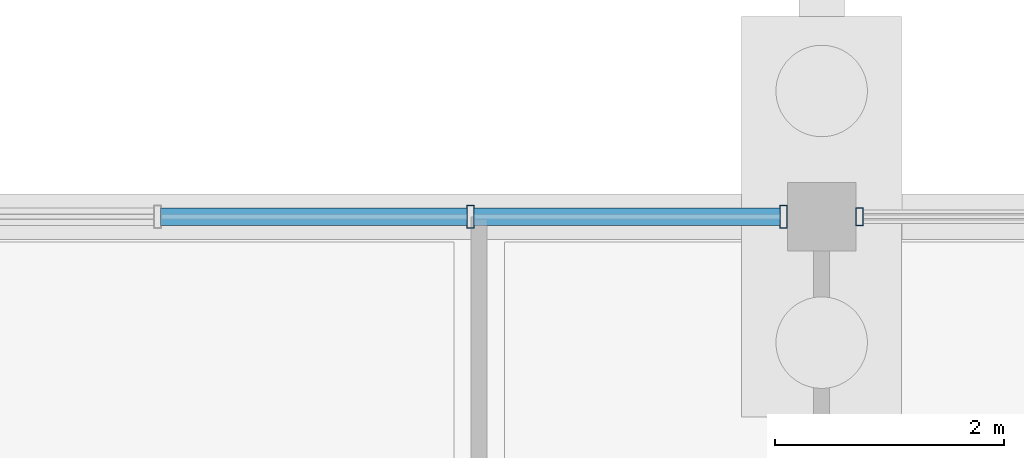
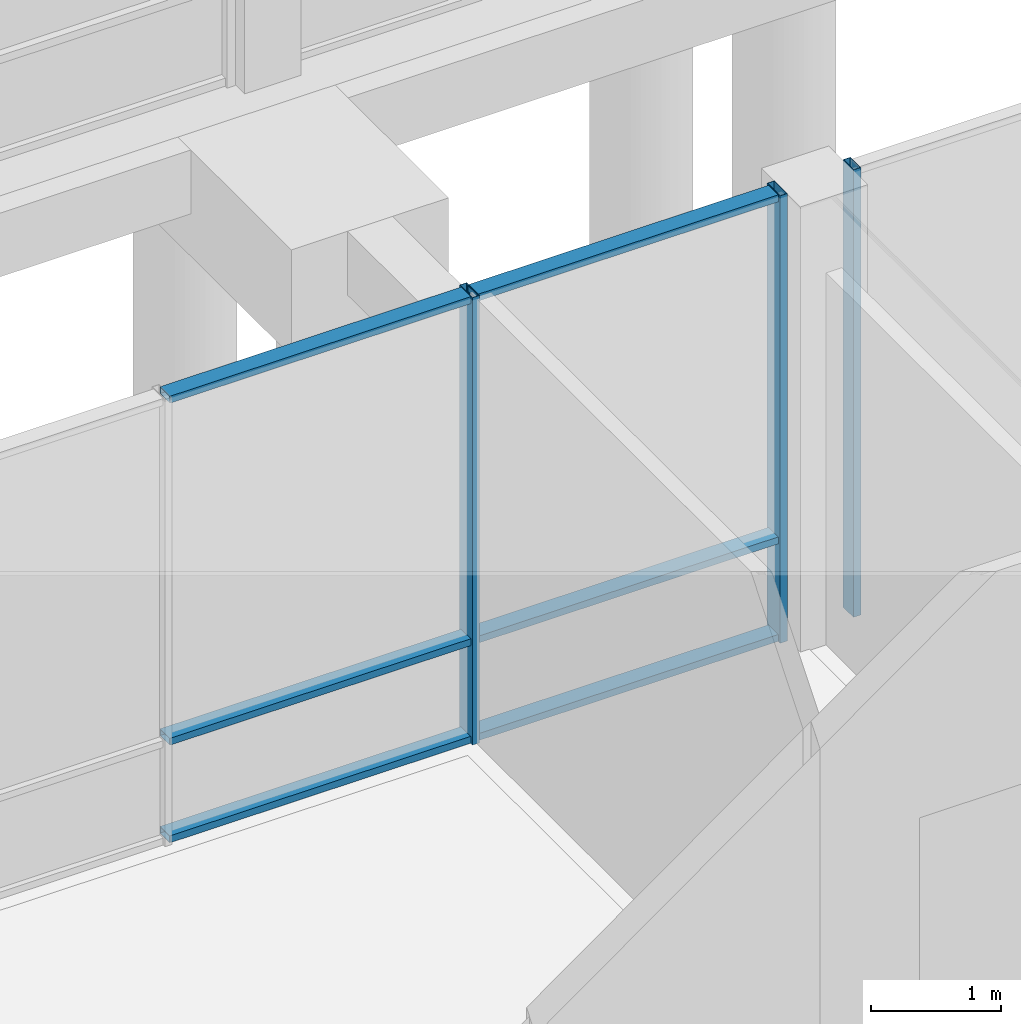
# One storey, part 48 of 104: 9 members, 2 elements without a shape of their own.
"""IFC4 building model written with IfcOpenShell, lengths in metres."""

from ifc_helpers import new_model, si_unit, direction, frame, origin, origin_2d, place, context, subcontext, project, spatial, hollow_rectangle, extrude, material, material_profile, profile_set, type_object, element, aggregate, save


model = new_model("IFC4")

# Units and contexts
model_context = context("Model", 3, precision=1e-05, world=origin(), true_north=direction((0.0, 1.0)))
body_context = subcontext(model_context, "Body", "Model", "MODEL_VIEW")
ifc_project = project(units=[si_unit("LENGTHUNIT", "METRE"), si_unit("AREAUNIT", "SQUARE_METRE"), si_unit("VOLUMEUNIT", "CUBIC_METRE"), si_unit("PLANEANGLEUNIT", "RADIAN"), si_unit("MASSUNIT", "GRAM", prefix="KILO")], contexts=[model_context])

# Site, building, storey
site_placement = place(None, origin())
site = spatial("IfcSite", under=ifc_project, at=site_placement, CompositionType="ELEMENT")
building_placement = place(site_placement, origin())
building = spatial("IfcBuilding", under=site, at=building_placement, Name="Hawrajan Terrace Health Centre", CompositionType="ELEMENT")
storey_placement = place(building_placement, origin())
storey = spatial("IfcBuildingStorey", under=building, at=storey_placement, Name="L00", CompositionType="ELEMENT", Elevation=0.0)

# Curtain wall, member
ifc_material_1 = material(Name="Anodized bronze aluminium and low-E solar glazing", Category="aluminium")
curtain_wall_type_1 = type_object("IfcCurtainWallType", Name="CW_Garden_SeriesF2", PredefinedType="USERDEFINED", material=ifc_material_1)
curtain_wall_1_placement = place(storey_placement, origin())
curtain_wall_1 = element("IfcCurtainWall", 1, at=curtain_wall_1_placement, inside=storey, type_object=curtain_wall_type_1, Name="Curtain wall CW-L00-039", ObjectType="UNITISED CURTAIN WALL", PredefinedType="USERDEFINED")
ifc_material_2 = material(Name="Anodized bronze aluminium 6063-T6", Category="aluminium")
ifc_material_profile_1 = material_profile(ifc_material_2, hollow_rectangle(XDim=0.06494140625, YDim=0.159912109375, WallThickness=0.00390625, at=origin_2d()), Name="CW MUL 65x160")
ifc_profile_set_1 = profile_set([ifc_material_profile_1], Name="Anodized bronze aluminium 6063-T6")
member_type_1 = type_object("IfcMemberType", Name="CWMullion_65x160", PredefinedType="MULLION", material=ifc_profile_set_1)
member_1_placement = place(storey_placement, frame((81.732421875, 18.60009765625, -0.0048828125), z_axis=(0.0, 0.0, 1.0), x_axis=(1.0, 0.0, 0.0)))
member_1 = element("IfcMember", 2, at=member_1_placement, type_object=member_type_1, Name="Mullion CW-L00-039-M1", PredefinedType="MULLION", context=body_context, shape_type="SweptSolid", body=[
    extrude(hollow_rectangle(XDim=0.06494140625, YDim=0.159912109375, WallThickness=0.00390625, at=origin_2d()), origin(), (0.0, 0.0, 1.0), 4.2099609375),
])
aggregate(curtain_wall_1, [member_1])

# Curtain wall, members
curtain_wall_type_2 = type_object("IfcCurtainWallType", Name="CW_Hall_SeriesD1", PredefinedType="USERDEFINED", material=ifc_material_1)
curtain_wall_2_placement = place(storey_placement, origin())
curtain_wall_2 = element("IfcCurtainWall", 3, at=curtain_wall_2_placement, inside=storey, type_object=curtain_wall_type_2, Name="Curtain wall CW-L00-034", ObjectType="UNITISED CURTAIN WALL", PredefinedType="USERDEFINED")
ifc_material_profile_2 = material_profile(ifc_material_2, hollow_rectangle(XDim=0.06494140625, YDim=0.199951171875, WallThickness=0.00439453125, at=origin_2d()), Name="CW MUL 65x200")
ifc_profile_set_2 = profile_set([ifc_material_profile_2], Name="Anodized bronze aluminium 6063-T6")
member_type_2 = type_object("IfcMemberType", Name="CWMullion_65x200", PredefinedType="MULLION", material=ifc_profile_set_2)
member_2_placement = place(storey_placement, frame((78.330810546875, 18.60009765625, -0.0048828125), z_axis=(0.0, 0.0, 1.0), x_axis=(1.0, 0.0, 0.0)))
member_2 = element("IfcMember", 4, at=member_2_placement, type_object=member_type_2, Name="Mullion CW-L00-034-M3", PredefinedType="MULLION", context=body_context, shape_type="SweptSolid", body=[
    extrude(hollow_rectangle(XDim=0.06494140625, YDim=0.199951171875, WallThickness=0.00439453125, at=origin_2d()), origin(), (0.0, 0.0, 1.0), 4.2099609375),
])
member_3_placement = place(storey_placement, frame((81.0673828125, 18.60009765625, -0.0048828125), z_axis=(0.0, 0.0, 1.0), x_axis=(1.0, 0.0, 0.0)))
member_3 = element("IfcMember", 5, at=member_3_placement, type_object=member_type_2, Name="Mullion CW-L00-034-M4", PredefinedType="MULLION", context=body_context, shape_type="SweptSolid", body=[
    extrude(hollow_rectangle(XDim=0.06494140625, YDim=0.199951171875, WallThickness=0.00439453125, at=origin_2d()), origin(), (0.0, 0.0, 1.0), 4.2099609375),
])
ifc_material_profile_3 = material_profile(ifc_material_2, hollow_rectangle(XDim=0.06494140625, YDim=0.14990234375, WallThickness=0.00390625, at=origin_2d()), Name="CW TRN 65x150")
ifc_profile_set_3 = profile_set([ifc_material_profile_3], Name="Anodized bronze aluminium 6063-T6")
member_type_3 = type_object("IfcMemberType", Name="CWTransom_65x150", PredefinedType="USERDEFINED", material=ifc_profile_set_3)
member_4_placement = place(storey_placement, frame((75.62060546875, 18.60009765625, 0.032470703125), z_axis=(1.0, 0.0, 0.0), x_axis=(0.0, 0.0, 1.0)))
member_4 = element("IfcMember", 6, at=member_4_placement, type_object=member_type_3, Name="Transom CW-L00-034-T2-1", ObjectType="TRANSOM", PredefinedType="USERDEFINED", context=body_context, shape_type="SweptSolid", body=[
    extrude(hollow_rectangle(XDim=0.06494140625, YDim=0.14990234375, WallThickness=0.00390625, at=origin_2d()), origin(), (0.0, 0.0, 1.0), 2.68359375),
])
member_5_placement = place(storey_placement, frame((75.62060546875, 18.60009765625, 0.949951171875), z_axis=(1.0, 0.0, 0.0), x_axis=(0.0, 0.0, 1.0)))
member_5 = element("IfcMember", 7, at=member_5_placement, type_object=member_type_3, Name="Transom CW-L00-034-T2-2", ObjectType="TRANSOM", PredefinedType="USERDEFINED", context=body_context, shape_type="SweptSolid", body=[
    extrude(hollow_rectangle(XDim=0.06494140625, YDim=0.14990234375, WallThickness=0.00390625, at=origin_2d()), origin(), (0.0, 0.0, 1.0), 2.68359375),
])
member_6_placement = place(storey_placement, frame((75.62060546875, 18.60009765625, 4.16748046875), z_axis=(1.0, 0.0, 0.0), x_axis=(0.0, 0.0, 1.0)))
member_6 = element("IfcMember", 8, at=member_6_placement, type_object=member_type_3, Name="Transom CW-L00-034-T2-3", ObjectType="TRANSOM", PredefinedType="USERDEFINED", context=body_context, shape_type="SweptSolid", body=[
    extrude(hollow_rectangle(XDim=0.06494140625, YDim=0.14990234375, WallThickness=0.00390625, at=origin_2d()), origin(), (0.0, 0.0, 1.0), 2.68359375),
])
member_7_placement = place(storey_placement, frame((78.357421875, 18.60009765625, 0.032470703125), z_axis=(1.0, 0.0, 0.0), x_axis=(0.0, 0.0, 1.0)))
member_7 = element("IfcMember", 9, at=member_7_placement, type_object=member_type_3, Name="Transom CW-L00-034-T3-1", ObjectType="TRANSOM", PredefinedType="USERDEFINED", context=body_context, shape_type="SweptSolid", body=[
    extrude(hollow_rectangle(XDim=0.06494140625, YDim=0.14990234375, WallThickness=0.00390625, at=origin_2d()), origin(), (0.0, 0.0, 1.0), 2.68359375),
])
member_8_placement = place(storey_placement, frame((78.357421875, 18.60009765625, 0.949951171875), z_axis=(1.0, 0.0, 0.0), x_axis=(0.0, 0.0, 1.0)))
member_8 = element("IfcMember", 10, at=member_8_placement, type_object=member_type_3, Name="Transom CW-L00-034-T3-2", ObjectType="TRANSOM", PredefinedType="USERDEFINED", context=body_context, shape_type="SweptSolid", body=[
    extrude(hollow_rectangle(XDim=0.06494140625, YDim=0.14990234375, WallThickness=0.00390625, at=origin_2d()), origin(), (0.0, 0.0, 1.0), 2.68359375),
])
member_9_placement = place(storey_placement, frame((78.357421875, 18.60009765625, 4.16748046875), z_axis=(1.0, 0.0, 0.0), x_axis=(0.0, 0.0, 1.0)))
member_9 = element("IfcMember", 11, at=member_9_placement, type_object=member_type_3, Name="Transom CW-L00-034-T3-3", ObjectType="TRANSOM", PredefinedType="USERDEFINED", context=body_context, shape_type="SweptSolid", body=[
    extrude(hollow_rectangle(XDim=0.06494140625, YDim=0.14990234375, WallThickness=0.00390625, at=origin_2d()), origin(), (0.0, 0.0, 1.0), 2.68359375),
])
aggregate(curtain_wall_2, [member_2, member_3, member_4, member_5, member_6, member_7, member_8, member_9])

save(model, "model.ifc")
